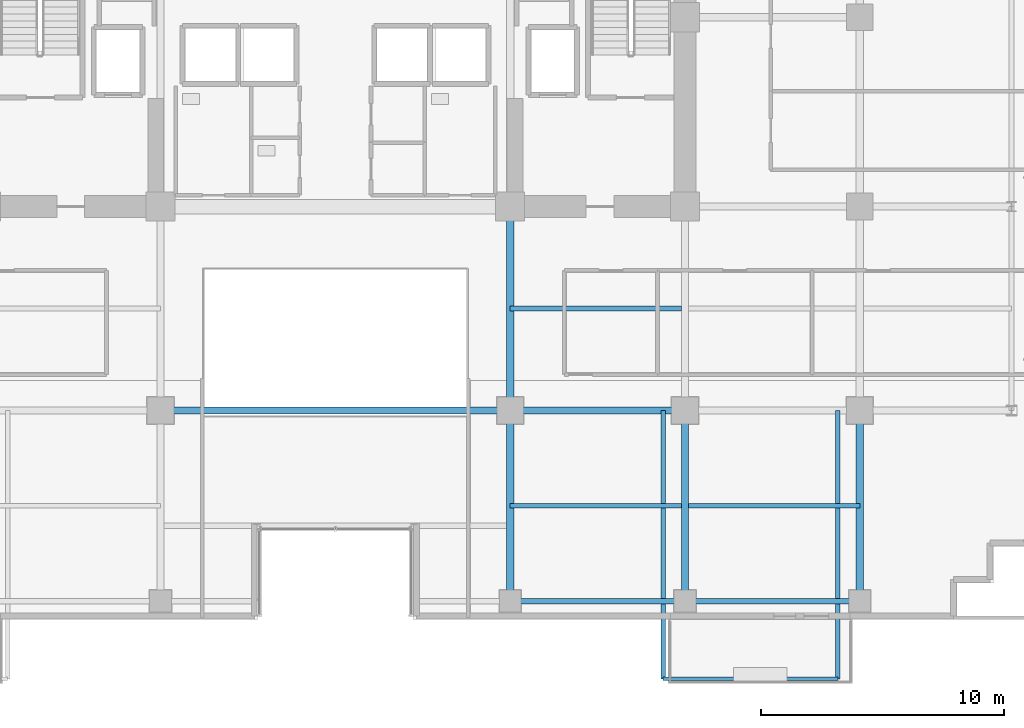
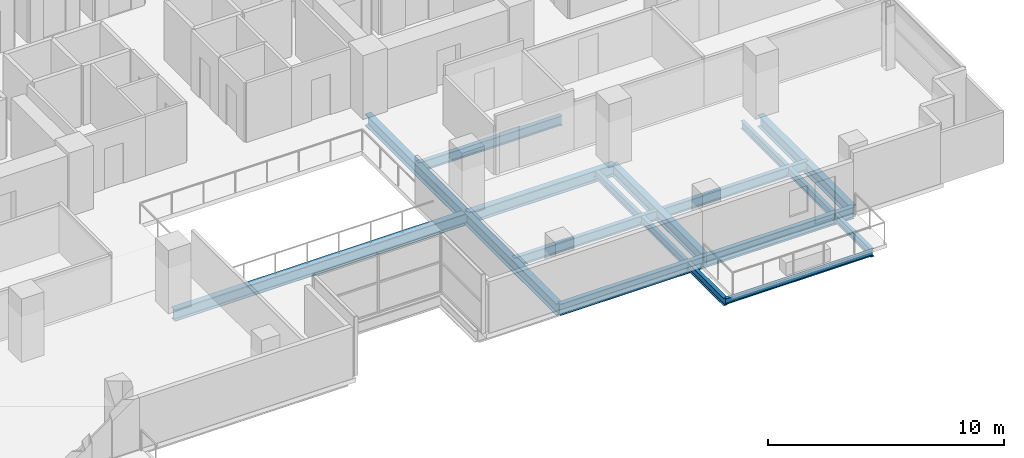
# One storey, part 10 of 31: 14 beams.
"""IFC4 building model written with IfcOpenShell, lengths in metres."""

import ifcopenshell
import ifcopenshell.guid

model = None  # the IFC model being written
_history = None  # IfcOwnerHistory: only IFC2X3 demands one
_inside = {}  # id of a spatial element -> (the spatial element, [elements in it])
_under = {}  # id of a project, library or spatial element -> (it, [spatial elements below it])
_declared = {}  # id of a project -> (the project, [libraries it declares])
_typed = {}  # id of a type object -> (the type object, [elements of that type])
_made_of = {}  # id of a material, layer set ... -> (it, [elements and type objects made of it])


def new_model(schema):
    """Start an empty IFC model of exactly this schema.

    Asked for "IFC4X3", IfcOpenShell would pick the latest addendum, in which some entities
    have other attributes; the version numbers below select the first issue.
    IFC2X3 requires an IfcOwnerHistory on every rooted entity: one is made here for all.
    """
    global model, _history
    if schema == "IFC4X3":
        model = ifcopenshell.file(schema_version=(4, 3, 0, 0))
    else:
        model = ifcopenshell.file(schema=schema)
    _inside.clear()
    _under.clear()
    _declared.clear()
    _typed.clear()
    _made_of.clear()
    _history = None
    if model.schema == "IFC2X3":
        org = make("IfcOrganization", Name="unknown")
        user = make(
            "IfcPersonAndOrganization",
            ThePerson=make("IfcPerson", FamilyName="unknown"),
            TheOrganization=org,
        )
        app = make(
            "IfcApplication",
            ApplicationDeveloper=org,
            Version="unknown",
            ApplicationFullName="unknown",
            ApplicationIdentifier="unknown",
        )
        _history = make(
            "IfcOwnerHistory",
            OwningUser=user,
            OwningApplication=app,
            ChangeAction="ADDED",
            CreationDate=0,
        )
    return model


def make(cls, **values):
    """One entity of the class cls with the attributes given. An attribute that is None is left unset."""
    return model.create_entity(
        cls, **{name: value for name, value in values.items() if value is not None}
    )


def rooted(cls, **values):
    """An entity with a GlobalId (a new one), such as an element, a storey or a relation."""
    return make(cls, GlobalId=ifcopenshell.guid.new(), OwnerHistory=_history, **values)


def si_unit(unit_type, name, prefix=None):
    """IfcSIUnit, for example si_unit("LENGTHUNIT", "METRE", prefix="MILLI")."""
    return make("IfcSIUnit", UnitType=unit_type, Prefix=prefix, Name=name)


def assignment(units):
    """IfcUnitAssignment: the units of a project."""
    return None if units is None else make("IfcUnitAssignment", Units=units)


def point(xyz):
    """IfcCartesianPoint."""
    return None if xyz is None else make("IfcCartesianPoint", Coordinates=xyz)


def direction(xyz):
    """IfcDirection."""
    return None if xyz is None else make("IfcDirection", DirectionRatios=xyz)


def frame(location, z_axis=None, x_axis=None):
    """IfcAxis2Placement3D, a coordinate frame: its origin and axes. An axis left out is left unset."""
    return make(
        "IfcAxis2Placement3D",
        Location=point(location),
        Axis=direction(z_axis),
        RefDirection=direction(x_axis),
    )


def frame_2d(location, x_axis=None):
    """IfcAxis2Placement2D, a coordinate frame in the plane: its origin and x axis."""
    return make(
        "IfcAxis2Placement2D", Location=point(location), RefDirection=direction(x_axis)
    )


def origin():
    """The frame at (0, 0, 0) with its axes left unset."""
    return frame((0.0, 0.0, 0.0))


def origin_2d():
    """The frame at (0, 0) in the plane with its x axis left unset."""
    return frame_2d((0.0, 0.0))


def place(relative_to, where):
    """IfcLocalPlacement: puts the frame where relative to a parent placement (None: the world)."""
    return make(
        "IfcLocalPlacement", PlacementRelTo=relative_to, RelativePlacement=where
    )


def context(
    kind, dimensions, precision=None, world=None, true_north=None, identifier=None
):
    """IfcGeometricRepresentationContext, for example the 3D "Model" context."""
    return make(
        "IfcGeometricRepresentationContext",
        ContextIdentifier=identifier,
        ContextType=kind,
        CoordinateSpaceDimension=dimensions,
        Precision=precision,
        WorldCoordinateSystem=world,
        TrueNorth=true_north,
    )


def subcontext(parent, identifier, kind, view, scale=None):
    """IfcGeometricRepresentationSubContext, for example "Body" below "Model"."""
    return make(
        "IfcGeometricRepresentationSubContext",
        ContextIdentifier=identifier,
        ContextType=kind,
        ParentContext=parent,
        TargetScale=scale,
        TargetView=view,
    )


def project(units=None, contexts=None):
    """IfcProject with its units and contexts."""
    return rooted(
        "IfcProject",
        Name="project",
        RepresentationContexts=contexts,
        UnitsInContext=assignment(units),
    )


def spatial(cls, under=None, at=None, **own):
    """A site, building, storey or space (cls), placed at a placement, below another one or the project."""
    s = rooted(cls, ObjectPlacement=at, **own)
    if under is not None:
        _under.setdefault(under.id(), (under, []))[1].append(s)
    return s


def profile(cls, at=None, kind="AREA", **sizes):
    """A parametric profile (cls). Its sizes go by their IFC names, for example OverallWidth=200.0."""
    return make(cls, ProfileType=kind, Position=at, **sizes)


def i_section(**sizes):
    """IfcIShapeProfileDef."""
    return profile("IfcIShapeProfileDef", **sizes)


def extrude(swept, where, along, depth):
    """IfcExtrudedAreaSolid: the profile swept, set in the frame where, extruded along a direction by depth."""
    return make(
        "IfcExtrudedAreaSolid",
        SweptArea=swept,
        Position=where,
        ExtrudedDirection=direction(along),
        Depth=depth,
    )


def shape(context_of_items, identifier, shape_type, items):
    """IfcShapeRepresentation: the items that make up one representation, for example the "Body"."""
    return make(
        "IfcShapeRepresentation",
        ContextOfItems=context_of_items,
        RepresentationIdentifier=identifier,
        RepresentationType=shape_type,
        Items=items,
    )


def material(Name=None, Category=None):
    """IfcMaterial."""
    return make("IfcMaterial", Name=Name, Category=Category)


def material_profile(
    of_material, cross_section, Name=None, Category=None, Priority=None
):
    """IfcMaterialProfile: a cross section and its material."""
    return make(
        "IfcMaterialProfile",
        Name=Name,
        Material=of_material,
        Profile=cross_section,
        Priority=Priority,
        Category=Category,
    )


def profile_set(profiles, Name=None, composite=None):
    """IfcMaterialProfileSet."""
    return make(
        "IfcMaterialProfileSet",
        Name=Name,
        MaterialProfiles=profiles,
        CompositeProfile=composite,
    )


def made_of(thing, what):
    """Note that an element or type object is made of a material, layer set ...; save() writes the relation."""
    if what is not None:
        _made_of.setdefault(what.id(), (what, []))[1].append(thing)
    return thing


def type_object(cls, material=None, **own):
    """A type object (cls), such as IfcWallType, which elements share."""
    return made_of(rooted(cls, **own), material)


def element(
    cls,
    number,
    at=None,
    inside=None,
    cuts=None,
    type_object=None,
    material=None,
    context=None,
    identifier="Body",
    shape_type=None,
    held_by="IfcProductDefinitionShape",
    body=None,
    shapes=None,
    **own,
):
    """One element of the class cls, such as IfcWall. Its Tag is "e" and its number.

    at: its placement. inside: the storey or other place that contains it. cuts: it is an
    opening in that element (IfcRelVoidsElement). A single representation is given by context,
    identifier, shape_type and body (its items); several are given by shapes. held_by: the class
    of the entity that holds the representations. save() writes the other relations.
    """
    e = rooted(cls, Tag="e%d" % number, ObjectPlacement=at, **own)
    if body is not None:
        shapes = [shape(context, identifier, shape_type, body)]
    if shapes is not None:
        e.Representation = make(held_by, Representations=shapes)
    if inside is not None:
        _inside.setdefault(inside.id(), (inside, []))[1].append(e)
    if cuts is not None:
        rooted(
            "IfcRelVoidsElement", RelatingBuildingElement=cuts, RelatedOpeningElement=e
        )
    if type_object is not None:
        _typed.setdefault(type_object.id(), (type_object, []))[1].append(e)
    return made_of(e, material)


def aggregate(whole, parts):
    """IfcRelAggregates: a whole, such as a stair, and the parts it consists of."""
    return rooted("IfcRelAggregates", RelatingObject=whole, RelatedObjects=parts)


def save(model, path):
    """Write the relations noted so far, then the file.

    IfcRelAggregates (storeys below a building ...), IfcRelContainedInSpatialStructure (elements
    in a storey), IfcRelDefinesByType, IfcRelAssociatesMaterial and IfcRelDeclares: one each for
    every whole, place, type object, material and project.
    """
    for whole, parts in _under.values():
        aggregate(whole, parts)
    for where, things in _inside.values():
        rooted(
            "IfcRelContainedInSpatialStructure",
            RelatedElements=things,
            RelatingStructure=where,
        )
    for kind, things in _typed.values():
        rooted("IfcRelDefinesByType", RelatedObjects=things, RelatingType=kind)
    for what, things in _made_of.values():
        rooted("IfcRelAssociatesMaterial", RelatedObjects=things, RelatingMaterial=what)
    for by, libraries in _declared.values():
        rooted("IfcRelDeclares", RelatingContext=by, RelatedDefinitions=libraries)
    model.write(path)


model = new_model("IFC4")

# Units and contexts
model_context = context("Model", 3, precision=1e-05, world=origin(), true_north=direction((0.0, 1.0)))
body_context = subcontext(model_context, "Body", "Model", "MODEL_VIEW")
ifc_project = project(units=[si_unit("LENGTHUNIT", "METRE"), si_unit("AREAUNIT", "SQUARE_METRE"), si_unit("VOLUMEUNIT", "CUBIC_METRE"), si_unit("PLANEANGLEUNIT", "RADIAN"), si_unit("MASSUNIT", "GRAM", prefix="KILO")], contexts=[model_context])

# Site, building, storey
site_placement = place(None, origin())
site = spatial("IfcSite", under=ifc_project, at=site_placement, CompositionType="ELEMENT")
building_placement = place(site_placement, origin())
building = spatial("IfcBuilding", under=site, at=building_placement, Name="Zarnakvel Exchange Tower", CompositionType="ELEMENT")
storey_placement = place(building_placement, frame((0.0, 0.0, 47.199951171875)))
storey = spatial("IfcBuildingStorey", under=building, at=storey_placement, Name="L12", CompositionType="ELEMENT", Elevation=47.199951171875)

# Beams
ifc_material = material(Name="Steel S355", Category="steel")
ifc_material_profile_1 = material_profile(ifc_material, i_section(OverallWidth=0.199951171875, OverallDepth=0.5, WebThickness=0.01025390625, FlangeThickness=0.01611328125, FilletRadius=0.02099609375, at=origin_2d()))
ifc_profile_set_1 = profile_set([ifc_material_profile_1], Name="Steel S355")
beam_type_1 = type_object("IfcBeamType", Name="B-04", PredefinedType="JOIST", material=ifc_profile_set_1)
for number, where, z_axis, x_axis, name in (
    (1, (7.199951171875, -13.52490234375, -0.474853515625), (1.0, 0.0, 0.0), (0.0, 1.0, 0.0), "L12 Composite Floor Secondary Joist"),
    (2, (14.550048828125, -13.52490234375, -0.474853515625), (1.0, 0.0, 0.0), (0.0, 1.0, 0.0), "L12 Composite Floor Secondary Joist"),
    (3, (7.199951171875, -5.39990234375, -0.474853515625), (1.0, 0.0, 0.0), (0.0, 1.0, 0.0), "L12 Composite Floor Secondary Joist"),
):
    element("IfcBeam", number, at=place(storey_placement, frame(where, z_axis=z_axis, x_axis=x_axis)), inside=storey, type_object=beam_type_1, Name=name, PredefinedType="JOIST", context=body_context, shape_type="SweptSolid", body=[
        extrude(i_section(OverallWidth=0.199951171875, OverallDepth=0.5, WebThickness=0.01025390625, FlangeThickness=0.01611328125, FilletRadius=0.02099609375, at=origin_2d()), origin(), (0.0, 0.0, 1.0), 7.050048828125),
    ])
ifc_material_profile_2 = material_profile(ifc_material, i_section(OverallWidth=0.179931640625, OverallDepth=0.39990234375, WebThickness=0.008544921875, FlangeThickness=0.013427734375, FilletRadius=0.02099609375, at=origin_2d()))
ifc_profile_set_2 = profile_set([ifc_material_profile_2], Name="Steel S355")
beam_type_2 = type_object("IfcBeamType", Name="B-06", PredefinedType="JOIST", material=ifc_profile_set_2)
for number, where, z_axis, x_axis, name in (
    (4, (13.5, -9.60009765625, -0.425048828125), (0.0, -1.0, 0.0), (1.0, 0.0, 0.0), "L12 Continuous Back-Spanned Balcony Beam W"),
    (5, (20.699951171875, -9.60009765625, -0.425048828125), (0.0, -1.0, 0.0), (1.0, 0.0, 0.0), "L12 Continuous Back-Spanned Balcony Beam E"),
):
    element("IfcBeam", number, at=place(storey_placement, frame(where, z_axis=z_axis, x_axis=x_axis)), inside=storey, type_object=beam_type_2, Name=name, PredefinedType="JOIST", context=body_context, shape_type="SweptSolid", body=[
        extrude(i_section(OverallWidth=0.179931640625, OverallDepth=0.39990234375, WebThickness=0.008544921875, FlangeThickness=0.013427734375, FilletRadius=0.02099609375, at=origin_2d()), origin(), (0.0, 0.0, 1.0), 11.0498046875),
    ])
ifc_material_profile_3 = material_profile(ifc_material, i_section(OverallWidth=0.14990234375, OverallDepth=0.300048828125, WebThickness=0.007080078125, FlangeThickness=0.0107421875, FilletRadius=0.014892578125, at=origin_2d()))
ifc_profile_set_3 = profile_set([ifc_material_profile_3], Name="Steel S355")
beam_type_3 = type_object("IfcBeamType", Name="B-08", PredefinedType="JOIST", material=ifc_profile_set_3)
beam_1_placement = place(storey_placement, frame((13.5, -20.64990234375, -0.375), z_axis=(1.0, 0.0, 0.0), x_axis=(0.0, 1.0, 0.0)))
element("IfcBeam", 6, at=beam_1_placement, inside=storey, type_object=beam_type_3, Name="L12 Balcony Edge Beam", PredefinedType="JOIST", context=body_context, shape_type="SweptSolid", body=[
    extrude(i_section(OverallWidth=0.14990234375, OverallDepth=0.300048828125, WebThickness=0.007080078125, FlangeThickness=0.0107421875, FilletRadius=0.014892578125, at=origin_2d()), origin(), (0.0, 0.0, 1.0), 7.199951171875),
])
ifc_material_profile_4 = material_profile(ifc_material, i_section(OverallWidth=0.300048828125, OverallDepth=0.60009765625, WebThickness=0.015380859375, FlangeThickness=0.030029296875, FilletRadius=0.027099609375, at=origin_2d()))
ifc_profile_set_4 = profile_set([ifc_material_profile_4], Name="Steel S355")
beam_type_4 = type_object("IfcBeamType", Name="G-04", PredefinedType="BEAM", material=ifc_profile_set_4)
beam_2_placement = place(storey_placement, frame((-7.199951171875, -9.60009765625, -0.52490234375), z_axis=(1.0, 0.0, 0.0), x_axis=(0.0, 1.0, 0.0)))
element("IfcBeam", 7, at=beam_2_placement, inside=storey, type_object=beam_type_4, Name="L12 Tower E-W Frame Beam", PredefinedType="BEAM", context=body_context, shape_type="SweptSolid", body=[
    extrude(i_section(OverallWidth=0.300048828125, OverallDepth=0.60009765625, WebThickness=0.015380859375, FlangeThickness=0.030029296875, FilletRadius=0.027099609375, at=origin_2d()), origin(), (0.0, 0.0, 1.0), 14.39990234375),
])
beam_3_placement = place(storey_placement, frame((7.199951171875, -9.60009765625, -0.52490234375), z_axis=(1.0, 0.0, 0.0), x_axis=(0.0, 1.0, 0.0)))
element("IfcBeam", 8, at=beam_3_placement, inside=storey, type_object=beam_type_4, Name="L12 Tower E-W Frame Beam", PredefinedType="BEAM", context=body_context, shape_type="SweptSolid", body=[
    extrude(i_section(OverallWidth=0.300048828125, OverallDepth=0.60009765625, WebThickness=0.015380859375, FlangeThickness=0.030029296875, FilletRadius=0.027099609375, at=origin_2d()), origin(), (0.0, 0.0, 1.0), 7.199951171875),
])
beam_4_placement = place(storey_placement, frame((7.199951171875, -17.449951171875, -0.52490234375), z_axis=(0.0, 1.0, 0.0), x_axis=(-1.0, 0.0, 0.0)))
element("IfcBeam", 9, at=beam_4_placement, inside=storey, type_object=beam_type_4, Name="L12 Tower N-S Frame Beam", PredefinedType="BEAM", context=body_context, shape_type="SweptSolid", body=[
    extrude(i_section(OverallWidth=0.300048828125, OverallDepth=0.60009765625, WebThickness=0.015380859375, FlangeThickness=0.030029296875, FilletRadius=0.027099609375, at=origin_2d()), origin(), (0.0, 0.0, 1.0), 7.849853515625),
])
beam_5_placement = place(storey_placement, frame((7.199951171875, -9.60009765625, -0.52490234375), z_axis=(0.0, 1.0, 0.0), x_axis=(-1.0, 0.0, 0.0)))
element("IfcBeam", 10, at=beam_5_placement, inside=storey, type_object=beam_type_4, Name="L12 Tower N-S Frame Beam", PredefinedType="BEAM", context=body_context, shape_type="SweptSolid", body=[
    extrude(i_section(OverallWidth=0.300048828125, OverallDepth=0.60009765625, WebThickness=0.015380859375, FlangeThickness=0.030029296875, FilletRadius=0.027099609375, at=origin_2d()), origin(), (0.0, 0.0, 1.0), 8.400146484375),
])
for number, where, z_axis, x_axis, name in (
    (11, (14.39990234375, -17.449951171875, -0.52490234375), (0.0, 1.0, 0.0), (-1.0, 0.0, 0.0), "L12 Tower N-S Frame Beam"),
    (12, (21.60009765625, -17.449951171875, -0.52490234375), (0.0, 1.0, 0.0), (-1.0, 0.0, 0.0), "L12 Tower N-S Frame Beam"),
):
    element("IfcBeam", number, at=place(storey_placement, frame(where, z_axis=z_axis, x_axis=x_axis)), inside=storey, type_object=beam_type_4, Name=name, PredefinedType="BEAM", context=body_context, shape_type="SweptSolid", body=[
        extrude(i_section(OverallWidth=0.300048828125, OverallDepth=0.60009765625, WebThickness=0.015380859375, FlangeThickness=0.030029296875, FilletRadius=0.027099609375, at=origin_2d()), origin(), (0.0, 0.0, 1.0), 7.849853515625),
    ])
ifc_material_profile_5 = material_profile(ifc_material, i_section(OverallWidth=0.219970703125, OverallDepth=0.60009765625, WebThickness=0.011962890625, FlangeThickness=0.01904296875, FilletRadius=0.02392578125, at=origin_2d()))
ifc_profile_set_5 = profile_set([ifc_material_profile_5], Name="Steel S355")
beam_type_5 = type_object("IfcBeamType", Name="SP-01", PredefinedType="SPANDREL", material=ifc_profile_set_5)
beam_6_placement = place(storey_placement, frame((7.199951171875, -17.449951171875, -0.52490234375), z_axis=(1.0, 0.0, 0.0), x_axis=(0.0, 1.0, 0.0)))
element("IfcBeam", 13, at=beam_6_placement, inside=storey, type_object=beam_type_5, Name="L12 Tower E-W Frame Beam", PredefinedType="SPANDREL", context=body_context, shape_type="SweptSolid", body=[
    extrude(i_section(OverallWidth=0.219970703125, OverallDepth=0.60009765625, WebThickness=0.011962890625, FlangeThickness=0.01904296875, FilletRadius=0.02392578125, at=origin_2d()), origin(), (0.0, 0.0, 1.0), 7.199951171875),
])
beam_7_placement = place(storey_placement, frame((14.39990234375, -17.449951171875, -0.52490234375), z_axis=(1.0, 0.0, 0.0), x_axis=(0.0, 1.0, 0.0)))
element("IfcBeam", 14, at=beam_7_placement, inside=storey, type_object=beam_type_5, Name="L12 Tower E-W Frame Beam", PredefinedType="SPANDREL", context=body_context, shape_type="SweptSolid", body=[
    extrude(i_section(OverallWidth=0.219970703125, OverallDepth=0.60009765625, WebThickness=0.011962890625, FlangeThickness=0.01904296875, FilletRadius=0.02392578125, at=origin_2d()), origin(), (0.0, 0.0, 1.0), 7.2001953125),
])

save(model, "model.ifc")
